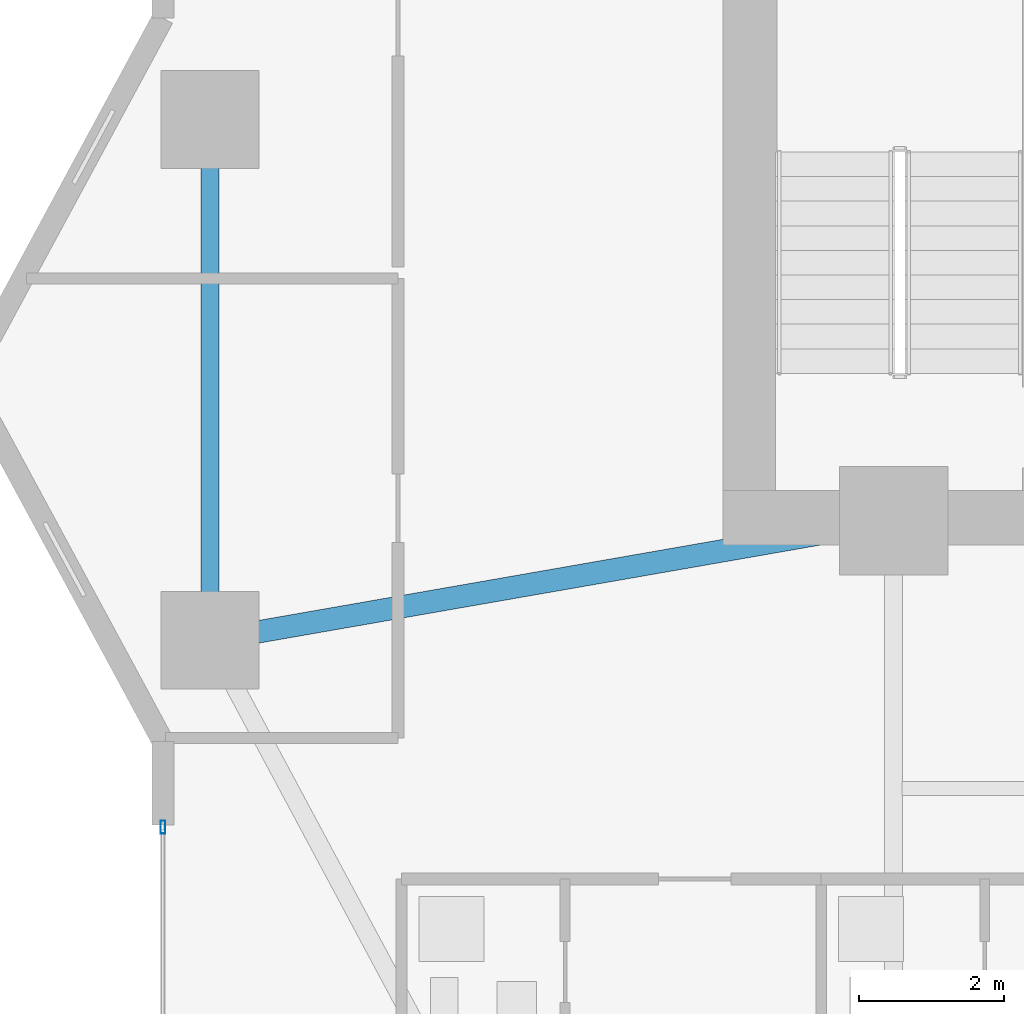
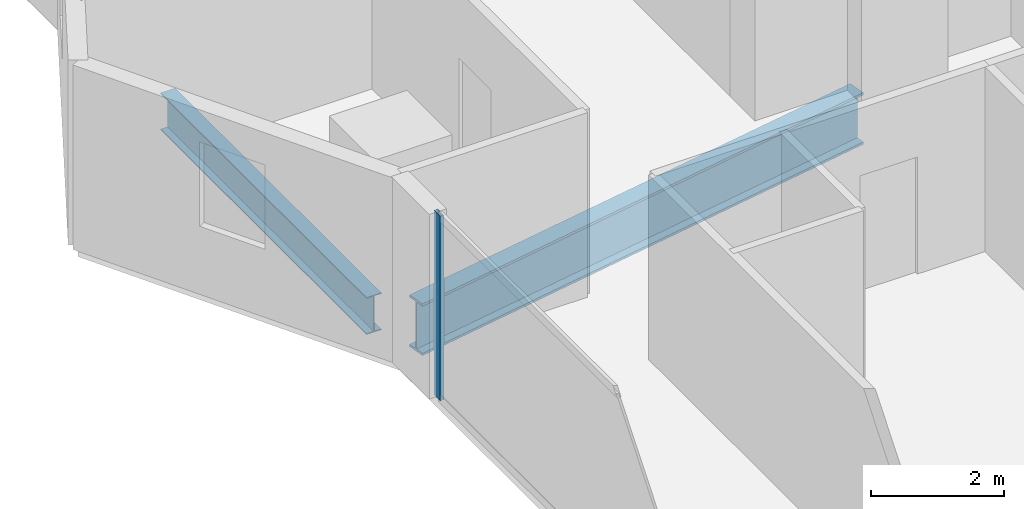
# One storey, part 7 of 29: 2 beams, 1 member, 1 element without a shape of its own.
"""IFC4 building model written with IfcOpenShell, lengths in metres."""

from ifc_helpers import new_model, si_unit, direction, frame, origin, origin_2d, place, context, subcontext, project, spatial, hollow_rectangle, i_section, extrude, material, layer, layer_set, material_profile, profile_set, type_object, element, aggregate, save


model = new_model("IFC4")

# Units and contexts
model_context = context("Model", 3, precision=1e-05, world=origin(), true_north=direction((0.0, 1.0)))
body_context = subcontext(model_context, "Body", "Model", "MODEL_VIEW")
ifc_project = project(units=[si_unit("LENGTHUNIT", "METRE"), si_unit("AREAUNIT", "SQUARE_METRE"), si_unit("VOLUMEUNIT", "CUBIC_METRE"), si_unit("PLANEANGLEUNIT", "RADIAN"), si_unit("MASSUNIT", "GRAM", prefix="KILO")], contexts=[model_context])

# Site, building, storey
site_placement = place(None, origin())
site = spatial("IfcSite", under=ifc_project, at=site_placement, CompositionType="ELEMENT")
building_placement = place(site_placement, origin())
building = spatial("IfcBuilding", under=site, at=building_placement, Name="Zuhayl Quay Hotel", CompositionType="ELEMENT")
storey_placement = place(building_placement, frame((0.0, 0.0, 158.550048828125)))
storey = spatial("IfcBuildingStorey", under=building, at=storey_placement, Name="L40", CompositionType="ELEMENT", Elevation=158.550048828125)

# Beams
ifc_material_1 = material(Name="Steel ASTM A992 Grade 50", Category="steel")
ifc_material_profile_1 = material_profile(ifc_material_1, i_section(OverallWidth=0.25390625, OverallDepth=0.68310546875, WebThickness=0.012451171875, FlangeThickness=0.018798828125, at=origin_2d()), Name="W27X94")
ifc_profile_set_1 = profile_set([ifc_material_profile_1], Name="Steel ASTM A992 Grade 50")
beam_type_1 = type_object("IfcBeamType", Name="BM_B2_W27X94", PredefinedType="BEAM", material=ifc_profile_set_1)
beam_1_placement = place(storey_placement, frame((-23.25, 9.60009765625, -0.5615234375), z_axis=(0.0, -1.0, 0.0), x_axis=(1.0, 0.0, 0.0)))
element("IfcBeam", 1, at=beam_1_placement, inside=storey, type_object=beam_type_1, Name="L40 Floor Beam RG_L40_11", PredefinedType="BEAM", context=body_context, shape_type="SweptSolid", body=[
    extrude(i_section(OverallWidth=0.25390625, OverallDepth=0.68310546875, WebThickness=0.012451171875, FlangeThickness=0.018798828125, at=origin_2d()), origin(), (0.0, 0.0, 1.0), 6.2001953125),
])
ifc_material_profile_2 = material_profile(ifc_material_1, i_section(OverallWidth=0.31005859375, OverallDepth=0.949951171875, WebThickness=0.0244140625, FlangeThickness=0.0439453125, at=origin_2d()), Name="W36X256")
ifc_profile_set_2 = profile_set([ifc_material_profile_2], Name="Steel ASTM A992 Grade 50")
beam_type_2 = type_object("IfcBeamType", Name="BM_PG1_W36X256", PredefinedType="BEAM", material=ifc_profile_set_2)
beam_2_placement = place(storey_placement, frame((-22.757568359375, 2.986083984375, -0.695068359375), z_axis=(0.985097302632, 0.171997977741, 0.0), x_axis=(-0.171997977741, 0.985097302632, 0.0)))
element("IfcBeam", 2, at=beam_2_placement, inside=storey, type_object=beam_type_2, Name="L40 Floor Beam FG_W_L40_1", PredefinedType="BEAM", context=body_context, shape_type="SweptSolid", body=[
    extrude(i_section(OverallWidth=0.31005859375, OverallDepth=0.949951171875, WebThickness=0.0244140625, FlangeThickness=0.0439453125, at=origin_2d()), origin(), (0.0, 0.0, 1.0), 8.64306640625),
])

# Curtain wall, member
ifc_material_2 = material(Name="Anodised Aluminium 6063-T6", Category="aluminium")
ifc_layer = layer(ifc_material_2, 0.179931640625, Name="Anodised Aluminium 6063-T6", Category="aluminium")
ifc_layer_set = layer_set([ifc_layer], Name="Anodised Aluminium 6063-T6")
curtain_wall_type = type_object("IfcCurtainWallType", Name="CW_SYS_Z2", PredefinedType="USERDEFINED", material=ifc_layer_set)
curtain_wall_placement = place(storey_placement, origin())
curtain_wall = element("IfcCurtainWall", 3, at=curtain_wall_placement, inside=storey, type_object=curtain_wall_type, Name="L40 Curtain Wall ENV_L40_E02_CW1", ObjectType="UNITISED CURTAIN WALL", PredefinedType="USERDEFINED")
ifc_material_3 = material(Name="Black-anodised aluminium 6063-T6", Category="aluminium")
ifc_material_profile_3 = material_profile(ifc_material_3, hollow_rectangle(XDim=0.06494140625, YDim=0.179931640625, WallThickness=0.00341796875, at=origin_2d()), Name="ALU180X65")
ifc_profile_set_3 = profile_set([ifc_material_profile_3], Name="Black-anodised aluminium 6063-T6")
member_type = type_object("IfcMemberType", Name="MB_CW_MUL_180", PredefinedType="MULLION", material=ifc_profile_set_3)
member_placement = place(storey_placement, frame((-23.89990234375, 0.3173828125, 0.0), z_axis=(0.0, 0.0, 1.0), x_axis=(-1.0, 0.0, 0.0)))
member = element("IfcMember", 4, at=member_placement, type_object=member_type, Name="CW-Z2 mullion 2", PredefinedType="MULLION", context=body_context, shape_type="SweptSolid", body=[
    extrude(hollow_rectangle(XDim=0.06494140625, YDim=0.179931640625, WallThickness=0.00341796875, at=origin_2d()), origin(), (0.0, 0.0, 1.0), 3.389892578125),
])
aggregate(curtain_wall, [member])

save(model, "model.ifc")
